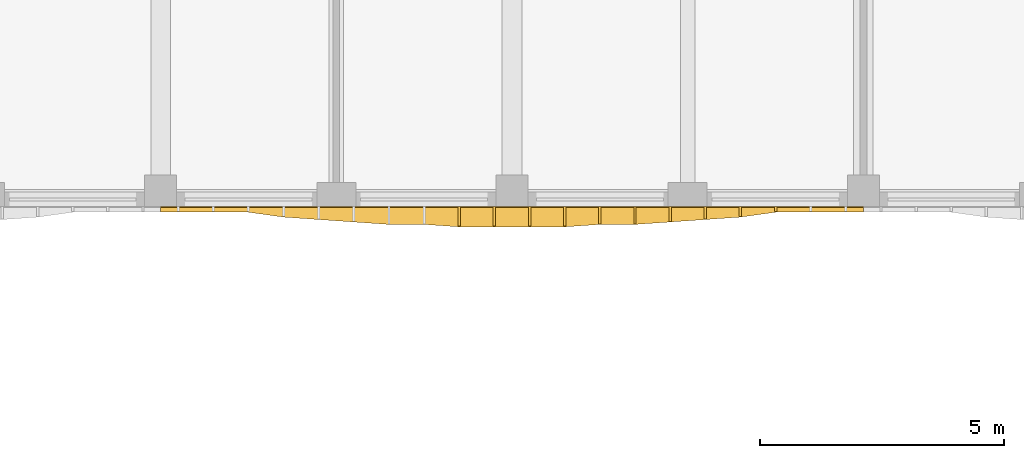
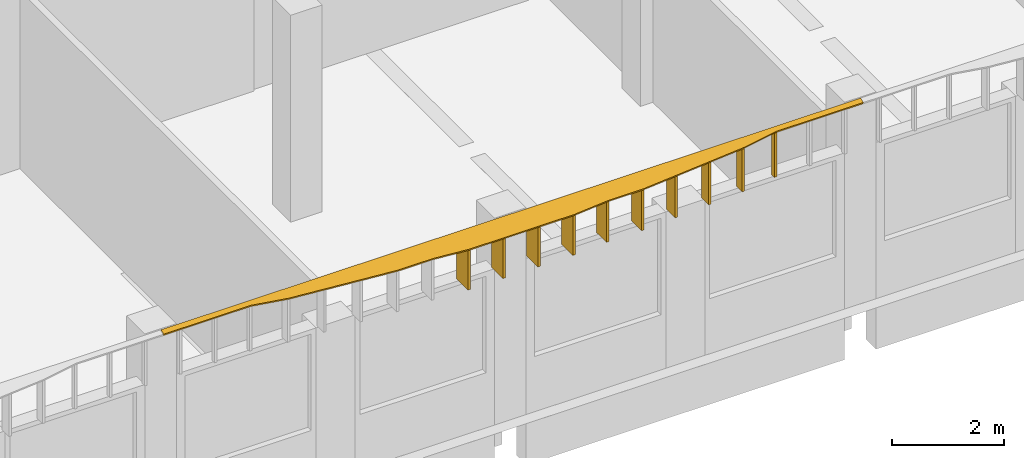
# One storey, part 42 of 54: 11 shading devices.
"""IFC4 building model written with IfcOpenShell, lengths in metres."""

from ifc_helpers import new_model, si_unit, direction, frame, origin, place, context, subcontext, project, spatial, polyline, outline, extrude, material, layer, layer_set, type_object, element, save


model = new_model("IFC4")

# Units and contexts
model_context = context("Model", 3, precision=1e-05, world=origin(), true_north=direction((0.0, 1.0)))
body_context = subcontext(model_context, "Body", "Model", "MODEL_VIEW")
ifc_project = project(units=[si_unit("LENGTHUNIT", "METRE"), si_unit("AREAUNIT", "SQUARE_METRE"), si_unit("VOLUMEUNIT", "CUBIC_METRE"), si_unit("PLANEANGLEUNIT", "RADIAN"), si_unit("MASSUNIT", "GRAM", prefix="KILO")], contexts=[model_context])

# Site, building, storey
site_placement = place(None, origin())
site = spatial("IfcSite", under=ifc_project, at=site_placement, CompositionType="ELEMENT")
building_placement = place(site_placement, origin())
building = spatial("IfcBuilding", under=site, at=building_placement, Name="Ussher Court Research Institute", CompositionType="ELEMENT")
storey_placement = place(building_placement, frame((0.0, 0.0, 14.39990234375)))
storey = spatial("IfcBuildingStorey", under=building, at=storey_placement, Name="L03", CompositionType="ELEMENT", Elevation=14.39990234375)

# Shading devices
ifc_material_1 = material(Name="Bronze anodised aluminium", Category="aluminium")
ifc_layer_1 = layer(ifc_material_1, 0.050048828125)
ifc_layer_set_1 = layer_set([ifc_layer_1], Name="Bronze anodised aluminium")
shading_device_type_1 = type_object("IfcShadingDeviceType", Name="Brim blade 100 mm deep 1000 mm high canted 20 deg dry", PredefinedType="USERDEFINED", material=ifc_layer_set_1)
shading_device_1_placement = place(storey_placement, frame((66.0, 68.39990234375, 3.4501953125), z_axis=(0.0, 0.0, 1.0), x_axis=(0.0, -1.0, 0.0)))
element("IfcShadingDevice", 1, at=shading_device_1_placement, inside=storey, type_object=shading_device_type_1, Name="Brim blade BS17 L03", ObjectType="BLADE", PredefinedType="USERDEFINED", context=body_context, shape_type="SweptSolid", body=[
    extrude(outline(polyline([(0.0, 0.0), (0.099853515625, 0.0), (0.10009765625, 0.963623046875), (0.0, 1.0), (0.0, 0.0)])), frame((0.0, 0.02490234375, 0.0), z_axis=(0.0, -1.0, 0.0), x_axis=(1.0, 0.0, 0.0)), (0.0, 0.0, 1.0), 0.050048828125),
])
ifc_material_2 = material(Name="Bronze anodised aluminium", Category="aluminium")
ifc_layer_2 = layer(ifc_material_2, 0.050048828125)
ifc_layer_set_2 = layer_set([ifc_layer_2], Name="Bronze anodised aluminium")
shading_device_type_2 = type_object("IfcShadingDeviceType", Name="Brim blade 200 mm deep 1000 mm high canted 20 deg dry", PredefinedType="USERDEFINED", material=ifc_layer_set_2)
shading_device_2_placement = place(storey_placement, frame((65.280029296875, 68.39990234375, 3.4501953125), z_axis=(0.0, 0.0, 1.0), x_axis=(0.0, -1.0, 0.0)))
element("IfcShadingDevice", 2, at=shading_device_2_placement, inside=storey, type_object=shading_device_type_2, Name="Brim blade BS15 L03", ObjectType="BLADE", PredefinedType="USERDEFINED", context=body_context, shape_type="SweptSolid", body=[
    extrude(outline(polyline([(0.0, 0.0), (0.199951171875, 0.0), (0.199951171875, 0.927001953125), (0.0, 1.0), (0.0, 0.0)])), frame((0.0, 0.02490234375, 0.0), z_axis=(0.0, -1.0, 0.0), x_axis=(1.0, 0.0, 0.0)), (0.0, 0.0, 1.0), 0.050048828125),
])
ifc_material_3 = material(Name="Bronze anodised aluminium", Category="aluminium")
ifc_layer_3 = layer(ifc_material_3, 0.050048828125)
ifc_layer_set_3 = layer_set([ifc_layer_3], Name="Bronze anodised aluminium")
shading_device_type_3 = type_object("IfcShadingDeviceType", Name="Brim blade 250 mm deep 1000 mm high canted 20 deg dry", PredefinedType="USERDEFINED", material=ifc_layer_set_3)
shading_device_3_placement = place(storey_placement, frame((64.56005859375, 68.39990234375, 3.4501953125), z_axis=(0.0, 0.0, 1.0), x_axis=(0.0, -1.0, 0.0)))
element("IfcShadingDevice", 3, at=shading_device_3_placement, inside=storey, type_object=shading_device_type_3, Name="Brim blade BS14 L03", ObjectType="BLADE", PredefinedType="USERDEFINED", context=body_context, shape_type="SweptSolid", body=[
    extrude(outline(polyline([(0.0, 0.0), (0.25, 0.0), (0.25, 0.908935546875), (0.0, 1.0), (0.0, 0.0)])), frame((0.0, 0.02490234375, 0.0), z_axis=(0.0, -1.0, 0.0), x_axis=(1.0, 0.0, 0.0)), (0.0, 0.0, 1.0), 0.050048828125),
])
ifc_material_4 = material(Name="Bronze anodised aluminium", Category="aluminium")
ifc_layer_4 = layer(ifc_material_4, 0.050048828125)
ifc_layer_set_4 = layer_set([ifc_layer_4], Name="Bronze anodised aluminium")
shading_device_type_4 = type_object("IfcShadingDeviceType", Name="Brim blade 300 mm deep 1000 mm high canted 20 deg dry", PredefinedType="USERDEFINED", material=ifc_layer_set_4)
shading_device_4_placement = place(storey_placement, frame((63.840087890625, 68.39990234375, 3.4501953125), z_axis=(0.0, 0.0, 1.0), x_axis=(0.0, -1.0, 0.0)))
element("IfcShadingDevice", 4, at=shading_device_4_placement, inside=storey, type_object=shading_device_type_4, Name="Brim blade BS13 L03", ObjectType="BLADE", PredefinedType="USERDEFINED", context=body_context, shape_type="SweptSolid", body=[
    extrude(outline(polyline([(0.0, 0.0), (0.2998046875, 0.0), (0.300048828125, 0.890625), (0.0, 1.0), (0.0, 0.0)])), frame((0.0, 0.02490234375, 0.0), z_axis=(0.0, -1.0, 0.0), x_axis=(1.0, 0.0, 0.0)), (0.0, 0.0, 1.0), 0.050048828125),
])
ifc_material_5 = material(Name="Bronze anodised aluminium", Category="aluminium")
ifc_layer_5 = layer(ifc_material_5, 0.050048828125)
ifc_layer_set_5 = layer_set([ifc_layer_5], Name="Bronze anodised aluminium")
shading_device_type_5 = type_object("IfcShadingDeviceType", Name="Brim blade 350 mm deep 1000 mm high canted 20 deg dry", PredefinedType="USERDEFINED", material=ifc_layer_set_5)
for number, where, z_axis, x_axis, name in (
    (5, (63.1201171875, 68.39990234375, 3.4501953125), (0.0, 0.0, 1.0), (0.0, -1.0, 0.0), "Brim blade BS12 L03"),
    (6, (62.39990234375, 68.39990234375, 3.4501953125), (0.0, 0.0, 1.0), (0.0, -1.0, 0.0), "Brim blade BS12 L03"),
):
    element("IfcShadingDevice", number, at=place(storey_placement, frame(where, z_axis=z_axis, x_axis=x_axis)), inside=storey, type_object=shading_device_type_5, Name=name, ObjectType="BLADE", PredefinedType="USERDEFINED", context=body_context, shape_type="SweptSolid", body=[
        extrude(outline(polyline([(0.0, 0.0), (0.349853515625, 0.0), (0.35009765625, 0.87255859375), (0.0, 1.0), (0.0, 0.0)])), frame((0.0, 0.02490234375, 0.0), z_axis=(0.0, -1.0, 0.0), x_axis=(1.0, 0.0, 0.0)), (0.0, 0.0, 1.0), 0.050048828125),
    ])
ifc_material_6 = material(Name="Bronze anodised aluminium", Category="aluminium")
ifc_layer_6 = layer(ifc_material_6, 0.050048828125)
ifc_layer_set_6 = layer_set([ifc_layer_6], Name="Bronze anodised aluminium")
shading_device_type_6 = type_object("IfcShadingDeviceType", Name="Brim blade 400 mm deep 1000 mm high canted 20 deg dry", PredefinedType="USERDEFINED", material=ifc_layer_set_6)
for number, where, z_axis, x_axis, name in (
    (7, (61.679931640625, 68.39990234375, 3.4501953125), (0.0, 0.0, 1.0), (0.0, -1.0, 0.0), "Brim blade BS11 L03"),
    (8, (60.9599609375, 68.39990234375, 3.4501953125), (0.0, 0.0, 1.0), (0.0, -1.0, 0.0), "Brim blade BS11 L03"),
    (9, (60.239990234375, 68.39990234375, 3.4501953125), (0.0, 0.0, 1.0), (0.0, -1.0, 0.0), "Brim blade BS11 L03"),
    (10, (59.52001953125, 68.39990234375, 3.4501953125), (0.0, 0.0, 1.0), (0.0, -1.0, 0.0), "Brim blade BS11 L03"),
):
    element("IfcShadingDevice", number, at=place(storey_placement, frame(where, z_axis=z_axis, x_axis=x_axis)), inside=storey, type_object=shading_device_type_6, Name=name, ObjectType="BLADE", PredefinedType="USERDEFINED", context=body_context, shape_type="SweptSolid", body=[
        extrude(outline(polyline([(0.0, 0.0), (0.39990234375, 0.0), (0.39990234375, 0.854248046875), (0.0, 1.0), (0.0, 0.0)])), frame((0.0, 0.02490234375, 0.0), z_axis=(0.0, -1.0, 0.0), x_axis=(1.0, 0.0, 0.0)), (0.0, 0.0, 1.0), 0.050048828125),
    ])
ifc_material_7 = material(Name="Bronze anodised aluminium", Category="aluminium")
ifc_layer_7 = layer(ifc_material_7, 0.0400390625)
ifc_layer_set_7 = layer_set([ifc_layer_7], Name="Bronze anodised aluminium")
shading_device_type_7 = type_object("IfcShadingDeviceType", Name="Brim visor sheet 40 mm canted 20 deg dry", PredefinedType="USERDEFINED", material=ifc_layer_set_7)
shading_device_5_placement = place(storey_placement, frame((67.800048828125, 68.38623046875, 4.48779296875), z_axis=(0.0, -0.342400471463, 0.939554105489), x_axis=(-1.0, 0.0, 0.0)))
element("IfcShadingDevice", 11, at=shading_device_5_placement, inside=storey, type_object=shading_device_type_7, Name="Brim visor sheet BR2 L03", ObjectType="BRIM", PredefinedType="USERDEFINED", context=body_context, shape_type="SweptSolid", body=[
    extrude(outline(polyline([(0.0, 0.0), (14.400146484375, 0.0), (14.400146484375, 0.10627326645340238), (14.0400390625, 0.10627326645340238), (13.320068359375, 0.10627326645340238), (12.60009765625, 0.10627326645340238), (11.880126953125, 0.2128595100984436), (11.16015625, 0.2660690380558608), (10.43994140625, 0.3193621598783814), (9.719970703125, 0.37234230450926314), (9.0, 0.37234230450926314), (8.280029296875, 0.42563542633178375), (7.56005859375, 0.42563542633178375), (6.840087890625, 0.42563542633178375), (6.1201171875, 0.42563542633178375), (5.400146484375, 0.37234230450926314), (4.679931640625, 0.37234230450926314), (3.9599609375, 0.3193621598783814), (3.239990234375, 0.2660690380558608), (2.52001953125, 0.2128595100984436), (1.800048828125, 0.10627326645340238), (1.080078125, 0.10627326645340238), (0.360107421875, 0.10627326645340238), (0.0, 0.10627326645340238), (0.0, 0.0)])), origin(), (0.0, 0.0, -1.0), 0.0400390625),
])

save(model, "model.ifc")
